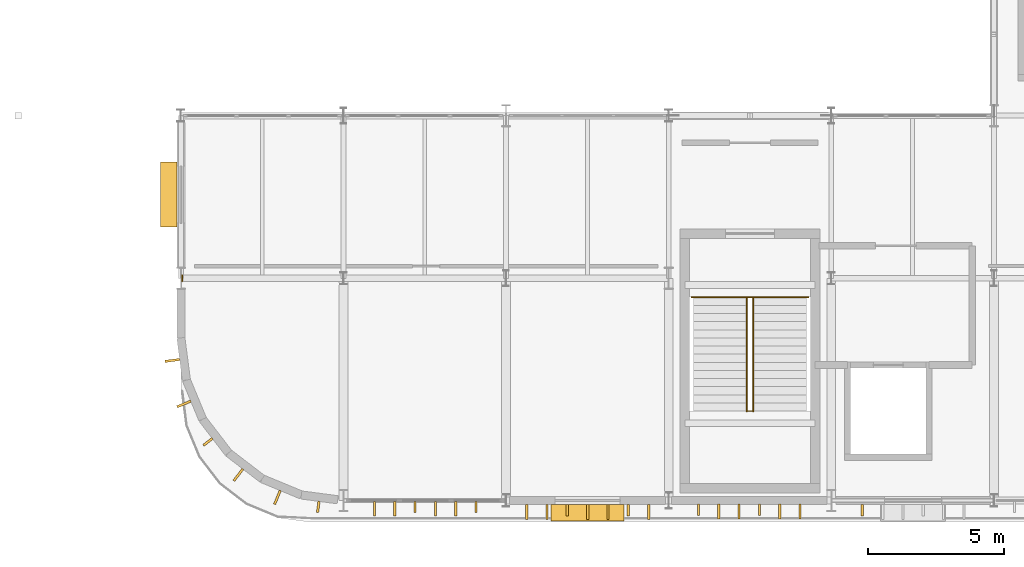
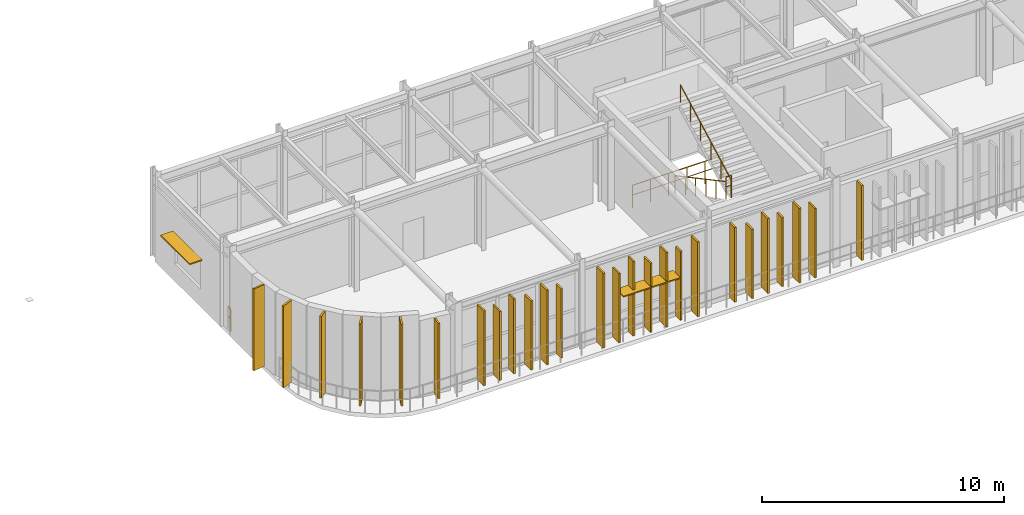
# One storey, part 74 of 84: 26 coverings, 5 railings, 2 shading devices.
"""IFC4 building model written with IfcOpenShell, lengths in metres."""

from ifc_helpers import new_model, si_unit, direction, frame, origin, origin_2d, place, context, subcontext, project, spatial, rectangle, circle, extrude, material, layer, layer_set, type_object, element, save


model = new_model("IFC4")

# Units and contexts
model_context = context("Model", 3, precision=1e-05, world=origin(), true_north=direction((0.0, 1.0)))
body_context = subcontext(model_context, "Body", "Model", "MODEL_VIEW")
ifc_project = project(units=[si_unit("LENGTHUNIT", "METRE"), si_unit("AREAUNIT", "SQUARE_METRE"), si_unit("VOLUMEUNIT", "CUBIC_METRE"), si_unit("PLANEANGLEUNIT", "RADIAN"), si_unit("MASSUNIT", "GRAM", prefix="KILO")], contexts=[model_context])

# Site, building, storey
site_placement = place(None, origin())
site = spatial("IfcSite", under=ifc_project, at=site_placement, CompositionType="ELEMENT")
building_placement = place(site_placement, origin())
building = spatial("IfcBuilding", under=site, at=building_placement, Name="Varnakota Square Police Headquarters", CompositionType="ELEMENT")
storey_placement = place(building_placement, frame((0.0, 0.0, 13.5)))
storey = spatial("IfcBuildingStorey", under=building, at=storey_placement, Name="L03", CompositionType="ELEMENT", Elevation=13.5)

# Coverings
ifc_material_1 = material(Name="White Anodised Aluminium Vertical Facade Blade 420", Category="aluminium")
ifc_layer_1 = layer(ifc_material_1, 0.0849609375, Name="White Anodised Aluminium Vertical Facade Blade 420")
ifc_layer_set_1 = layer_set([ifc_layer_1], Name="White Anodised Aluminium Vertical Facade Blade 420")
covering_type_1 = type_object("IfcCoveringType", Name="COV-FIN-420", PredefinedType="CLADDING", material=ifc_layer_set_1)
covering_1_placement = place(storey_placement, frame((116.642578125, 0.5625, 0.0400390625), z_axis=(0.0, 0.0, 1.0), x_axis=(1.0, 0.0, 0.0)))
element("IfcCovering", 1, at=covering_1_placement, inside=storey, type_object=covering_type_1, Name="Vertical aluminium facade fin FIN-0431", PredefinedType="CLADDING", context=body_context, shape_type="SweptSolid", body=[
    extrude(rectangle(XDim=0.0849609375, YDim=0.419921875, at=origin_2d()), origin(), (0.0, 0.0, 1.0), 3.760009765625),
])
covering_2_placement = place(storey_placement, frame((118.892578125, 0.5625, 0.0400390625), z_axis=(0.0, 0.0, 1.0), x_axis=(1.0, 0.0, 0.0)))
element("IfcCovering", 2, at=covering_2_placement, inside=storey, type_object=covering_type_1, Name="Vertical aluminium facade fin FIN-0434", PredefinedType="CLADDING", context=body_context, shape_type="SweptSolid", body=[
    extrude(rectangle(XDim=0.0849609375, YDim=0.419921875, at=origin_2d()), origin(), (0.0, 0.0, 1.0), 3.47998046875),
])
covering_3_placement = place(storey_placement, frame((122.260009765625, 0.445068359375, 0.0400390625), z_axis=(0.0, 0.0, 1.0), x_axis=(1.0, 0.0, 0.0)))
element("IfcCovering", 3, at=covering_3_placement, inside=storey, type_object=covering_type_1, Name="Vertical aluminium facade fin FIN-0437", PredefinedType="CLADDING", context=body_context, shape_type="SweptSolid", body=[
    extrude(rectangle(XDim=0.0849609375, YDim=0.419921875, at=origin_2d()), origin(), (0.0, 0.0, 1.0), 3.760009765625),
])
covering_4_placement = place(storey_placement, frame((124.510009765625, 0.445068359375, 0.0400390625), z_axis=(0.0, 0.0, 1.0), x_axis=(1.0, 0.0, 0.0)))
element("IfcCovering", 4, at=covering_4_placement, inside=storey, type_object=covering_type_1, Name="Vertical aluminium facade fin FIN-0440", PredefinedType="CLADDING", context=body_context, shape_type="SweptSolid", body=[
    extrude(rectangle(XDim=0.0849609375, YDim=0.419921875, at=origin_2d()), origin(), (0.0, 0.0, 1.0), 3.47998046875),
])
covering_5_placement = place(storey_placement, frame((127.097412109375, 0.455078125, 0.0400390625), z_axis=(0.0, 0.0, 1.0), x_axis=(1.0, 0.0, 0.0)))
element("IfcCovering", 5, at=covering_5_placement, inside=storey, type_object=covering_type_1, Name="Vertical aluminium facade fin FIN-0442", PredefinedType="CLADDING", context=body_context, shape_type="SweptSolid", body=[
    extrude(rectangle(XDim=0.0849609375, YDim=0.419921875, at=origin_2d()), origin(), (0.0, 0.0, 1.0), 3.760009765625),
])
covering_6_placement = place(storey_placement, frame((129.347412109375, 0.455078125, 0.0400390625), z_axis=(0.0, 0.0, 1.0), x_axis=(1.0, 0.0, 0.0)))
element("IfcCovering", 6, at=covering_6_placement, inside=storey, type_object=covering_type_1, Name="Vertical aluminium facade fin FIN-0445", PredefinedType="CLADDING", context=body_context, shape_type="SweptSolid", body=[
    extrude(rectangle(XDim=0.0849609375, YDim=0.419921875, at=origin_2d()), origin(), (0.0, 0.0, 1.0), 3.47998046875),
])
covering_7_placement = place(storey_placement, frame((133.142578125, 0.445068359375, 0.0400390625), z_axis=(0.0, 0.0, 1.0), x_axis=(1.0, 0.0, 0.0)))
element("IfcCovering", 7, at=covering_7_placement, inside=storey, type_object=covering_type_1, Name="Vertical aluminium facade fin FIN-0448", PredefinedType="CLADDING", context=body_context, shape_type="SweptSolid", body=[
    extrude(rectangle(XDim=0.0849609375, YDim=0.419921875, at=origin_2d()), origin(), (0.0, 0.0, 1.0), 3.760009765625),
])
covering_8_placement = place(storey_placement, frame((108.9990234375, 2.962646484375, 0.0400390625), z_axis=(0.0, 0.0, 1.0), x_axis=(0.608761429009, -0.793353340291, 0.0)))
element("IfcCovering", 8, at=covering_8_placement, inside=storey, type_object=covering_type_1, Name="Vertical aluminium facade fin FIN-0514", PredefinedType="CLADDING", context=body_context, shape_type="SweptSolid", body=[
    extrude(rectangle(XDim=0.0849609375, YDim=0.419921875, at=origin_2d()), origin(), (0.0, 0.0, 1.0), 4.114990234375),
])
covering_9_placement = place(storey_placement, frame((113.07080078125, 0.564208984375, 0.0400390625), z_axis=(0.0, 0.0, 1.0), x_axis=(0.991444861374, -0.13052619222, 0.0)))
element("IfcCovering", 9, at=covering_9_placement, inside=storey, type_object=covering_type_1, Name="Vertical aluminium facade fin FIN-0517", PredefinedType="CLADDING", context=body_context, shape_type="SweptSolid", body=[
    extrude(rectangle(XDim=0.0849609375, YDim=0.419921875, at=origin_2d()), origin(), (0.0, 0.0, 1.0), 3.7861328125),
])
ifc_material_2 = material(Name="White Anodised Aluminium Vertical Facade Blade 550", Category="aluminium")
ifc_layer_2 = layer(ifc_material_2, 0.0849609375, Name="White Anodised Aluminium Vertical Facade Blade 550")
ifc_layer_set_2 = layer_set([ifc_layer_2], Name="White Anodised Aluminium Vertical Facade Blade 550")
covering_type_2 = type_object("IfcCoveringType", Name="COV-FIN-550", PredefinedType="CLADDING", material=ifc_layer_set_2)
covering_10_placement = place(storey_placement, frame((115.142578125, 0.49755859375, 0.0400390625), z_axis=(0.0, 0.0, 1.0), x_axis=(1.0, 0.0, 0.0)))
element("IfcCovering", 10, at=covering_10_placement, inside=storey, type_object=covering_type_2, Name="Vertical aluminium facade fin FIN-0429", PredefinedType="CLADDING", context=body_context, shape_type="SweptSolid", body=[
    extrude(rectangle(XDim=0.0849609375, YDim=0.550048828125, at=origin_2d()), origin(), (0.0, 0.0, 1.0), 3.760009765625),
])
for number, where, z_axis, x_axis, name in (
    (11, (115.892578125, 0.49755859375, 0.0400390625), (0.0, 0.0, 1.0), (1.0, 0.0, 0.0), "Vertical aluminium facade fin FIN-0430"),
    (12, (117.392578125, 0.49755859375, 0.0400390625), (0.0, 0.0, 1.0), (1.0, 0.0, 0.0), "Vertical aluminium facade fin FIN-0432"),
):
    element("IfcCovering", number, at=place(storey_placement, frame(where, z_axis=z_axis, x_axis=x_axis)), inside=storey, type_object=covering_type_2, Name=name, PredefinedType="CLADDING", context=body_context, shape_type="SweptSolid", body=[
        extrude(rectangle(XDim=0.0849609375, YDim=0.550048828125, at=origin_2d()), origin(), (0.0, 0.0, 1.0), 3.47998046875),
    ])
for number, where, z_axis, x_axis, name in (
    (13, (118.142578125, 0.49755859375, 0.0400390625), (0.0, 0.0, 1.0), (1.0, 0.0, 0.0), "Vertical aluminium facade fin FIN-0433"),
    (14, (120.760009765625, 0.3798828125, 0.0400390625), (0.0, 0.0, 1.0), (1.0, 0.0, 0.0), "Vertical aluminium facade fin FIN-0435"),
):
    element("IfcCovering", number, at=place(storey_placement, frame(where, z_axis=z_axis, x_axis=x_axis)), inside=storey, type_object=covering_type_2, Name=name, PredefinedType="CLADDING", context=body_context, shape_type="SweptSolid", body=[
        extrude(rectangle(XDim=0.0849609375, YDim=0.550048828125, at=origin_2d()), origin(), (0.0, 0.0, 1.0), 3.760009765625),
    ])
for number, where, z_axis, x_axis, name in (
    (15, (121.510009765625, 0.3798828125, 0.0400390625), (0.0, 0.0, 1.0), (1.0, 0.0, 0.0), "Vertical aluminium facade fin FIN-0436"),
    (16, (123.010009765625, 0.3798828125, 0.0400390625), (0.0, 0.0, 1.0), (1.0, 0.0, 0.0), "Vertical aluminium facade fin FIN-0438"),
):
    element("IfcCovering", number, at=place(storey_placement, frame(where, z_axis=z_axis, x_axis=x_axis)), inside=storey, type_object=covering_type_2, Name=name, PredefinedType="CLADDING", context=body_context, shape_type="SweptSolid", body=[
        extrude(rectangle(XDim=0.0849609375, YDim=0.550048828125, at=origin_2d()), origin(), (0.0, 0.0, 1.0), 3.47998046875),
    ])
for number, where, z_axis, x_axis, name in (
    (17, (123.760009765625, 0.3798828125, 0.0400390625), (0.0, 0.0, 1.0), (1.0, 0.0, 0.0), "Vertical aluminium facade fin FIN-0439"),
    (18, (125.260009765625, 0.3798828125, 0.0400390625), (0.0, 0.0, 1.0), (1.0, 0.0, 0.0), "Vertical aluminium facade fin FIN-0441"),
):
    element("IfcCovering", number, at=place(storey_placement, frame(where, z_axis=z_axis, x_axis=x_axis)), inside=storey, type_object=covering_type_2, Name=name, PredefinedType="CLADDING", context=body_context, shape_type="SweptSolid", body=[
        extrude(rectangle(XDim=0.0849609375, YDim=0.550048828125, at=origin_2d()), origin(), (0.0, 0.0, 1.0), 3.760009765625),
    ])
covering_11_placement = place(storey_placement, frame((127.847412109375, 0.389892578125, 0.0400390625), z_axis=(0.0, 0.0, 1.0), x_axis=(1.0, 0.0, 0.0)))
element("IfcCovering", 19, at=covering_11_placement, inside=storey, type_object=covering_type_2, Name="Vertical aluminium facade fin FIN-0443", PredefinedType="CLADDING", context=body_context, shape_type="SweptSolid", body=[
    extrude(rectangle(XDim=0.0849609375, YDim=0.550048828125, at=origin_2d()), origin(), (0.0, 0.0, 1.0), 3.47998046875),
])
for number, where, z_axis, x_axis, name in (
    (20, (128.597412109375, 0.389892578125, 0.0400390625), (0.0, 0.0, 1.0), (1.0, 0.0, 0.0), "Vertical aluminium facade fin FIN-0444"),
    (21, (130.097412109375, 0.389892578125, 0.0400390625), (0.0, 0.0, 1.0), (1.0, 0.0, 0.0), "Vertical aluminium facade fin FIN-0446"),
):
    element("IfcCovering", number, at=place(storey_placement, frame(where, z_axis=z_axis, x_axis=x_axis)), inside=storey, type_object=covering_type_2, Name=name, PredefinedType="CLADDING", context=body_context, shape_type="SweptSolid", body=[
        extrude(rectangle(XDim=0.0849609375, YDim=0.550048828125, at=origin_2d()), origin(), (0.0, 0.0, 1.0), 3.760009765625),
    ])
covering_12_placement = place(storey_placement, frame((130.847412109375, 0.389892578125, 0.0400390625), z_axis=(0.0, 0.0, 1.0), x_axis=(1.0, 0.0, 0.0)))
element("IfcCovering", 22, at=covering_12_placement, inside=storey, type_object=covering_type_2, Name="Vertical aluminium facade fin FIN-0447", PredefinedType="CLADDING", context=body_context, shape_type="SweptSolid", body=[
    extrude(rectangle(XDim=0.0849609375, YDim=0.550048828125, at=origin_2d()), origin(), (0.0, 0.0, 1.0), 3.47998046875),
])
for number, where, z_axis, x_axis, name in (
    (23, (107.685791015625, 5.96875, 0.0400390625), (0.0, 0.0, 1.0), (0.13052619222, -0.991444861374, 0.0), "Vertical aluminium facade fin FIN-0512"),
    (24, (108.1162109375, 4.36279296875, 0.0400390625), (0.0, 0.0, 1.0), (0.382683432365, -0.923879532511, 0.0), "Vertical aluminium facade fin FIN-0513"),
    (25, (110.123046875, 1.747314453125, 0.0400390625), (0.0, 0.0, 1.0), (0.793353340291, -0.608761429009, 0.0), "Vertical aluminium facade fin FIN-0515"),
    (26, (111.562744140625, 0.916015625, 0.0400390625), (0.0, 0.0, 1.0), (0.923879532511, -0.382683432365, 0.0), "Vertical aluminium facade fin FIN-0516"),
):
    element("IfcCovering", number, at=place(storey_placement, frame(where, z_axis=z_axis, x_axis=x_axis)), inside=storey, type_object=covering_type_2, Name=name, PredefinedType="CLADDING", context=body_context, shape_type="SweptSolid", body=[
        extrude(rectangle(XDim=0.0849609375, YDim=0.550048828125, at=origin_2d()), origin(), (0.0, 0.0, 1.0), 4.114990234375),
    ])

# Railings
ifc_material_3 = material(Name="Galvanised Powder-Coated Steel Guardrail", Category="steel")
railing_type_1 = type_object("IfcRailingType", Name="RL-BAL-1150", PredefinedType="BALUSTRADE", material=ifc_material_3)
railing_1_placement = place(storey_placement, frame((108.050048828125, 8.88134765625, 0.0)))
element("IfcRailing", 27, at=railing_1_placement, inside=storey, type_object=railing_type_1, Name="Perimeter edge safety guard GD-AUTO-L03-070", PredefinedType="BALUSTRADE", context=body_context, shape_type="SweptSolid", body=[
    extrude(circle(Radius=0.02392578125, at=origin_2d()), frame((0.0, 0.0, 1.1259765625), z_axis=(0.0, 1.0, 0.0), x_axis=(-1.0, 0.0, 0.0)), (0.0, 0.0, 1.0), 0.2373046875),
    extrude(circle(Radius=0.01806640625, at=origin_2d()), frame((0.0, 0.0, 0.63232421875), z_axis=(0.0, 1.0, 0.0), x_axis=(-1.0, 0.0, 0.0)), (0.0, 0.0, 1.0), 0.2373046875),
    extrude(circle(Radius=0.02099609375, at=origin_2d()), origin(), (0.0, 0.0, 1.0), 1.101806640625),
    extrude(circle(Radius=0.02099609375, at=origin_2d()), frame((0.0, 0.2373046875, 0.0)), (0.0, 0.0, 1.0), 1.101806640625),
])
ifc_material_4 = material(Name="Brushed Stainless Steel Tubular Handrail", Category="steel")
railing_type_2 = type_object("IfcRailingType", Name="RL-HND-920", PredefinedType="HANDRAIL", material=ifc_material_4)
railing_2_placement = place(storey_placement, frame((128.8798828125, 8.300048828125, 0.0)))
element("IfcRailing", 28, at=railing_2_placement, inside=storey, type_object=railing_type_2, Name="Stair flight handrail HR-L03-007", PredefinedType="HANDRAIL", context=body_context, shape_type="SweptSolid", body=[
    extrude(circle(Radius=0.02392578125, at=origin_2d()), frame((0.0, 0.0, 0.89599609375), z_axis=(0.0, -0.881511956786, 0.472161699043), x_axis=(1.0, 0.0, 0.0)), (0.0, 0.0, 1.0), 4.765380859375),
    extrude(circle(Radius=0.02099609375, at=origin_2d()), origin(), (0.0, 0.0, 1.0), 0.871826171875),
    extrude(circle(Radius=0.02099609375, at=origin_2d()), frame((0.0, -0.840087890625, 0.449951171875)), (0.0, 0.0, 1.0), 0.871826171875),
    extrude(circle(Radius=0.02099609375, at=origin_2d()), frame((0.0, -1.68017578125, 0.89990234375)), (0.0, 0.0, 1.0), 0.871826171875),
    extrude(circle(Radius=0.02099609375, at=origin_2d()), frame((0.0, -2.5205078125, 1.35009765625)), (0.0, 0.0, 1.0), 0.871826171875),
    extrude(circle(Radius=0.02099609375, at=origin_2d()), frame((0.0, -3.360595703125, 1.800048828125)), (0.0, 0.0, 1.0), 0.871826171875),
    extrude(circle(Radius=0.02099609375, at=origin_2d()), frame((0.0, -4.20068359375, 2.25)), (0.0, 0.0, 1.0), 0.871826171875),
])
railing_3_placement = place(storey_placement, frame((129.1201171875, 4.099365234375, 2.25)))
element("IfcRailing", 29, at=railing_3_placement, inside=storey, type_object=railing_type_2, Name="Stair flight handrail HR-L03-008", PredefinedType="HANDRAIL", context=body_context, shape_type="SweptSolid", body=[
    extrude(circle(Radius=0.02392578125, at=origin_2d()), frame((0.0, 0.0, 0.89599609375), z_axis=(0.0, 0.881511956786, 0.472161699043), x_axis=(-1.0, 0.0, 0.0)), (0.0, 0.0, 1.0), 4.765380859375),
    extrude(circle(Radius=0.02099609375, at=origin_2d()), origin(), (0.0, 0.0, 1.0), 0.871826171875),
    extrude(circle(Radius=0.02099609375, at=origin_2d()), frame((0.0, 0.840087890625, 0.449951171875)), (0.0, 0.0, 1.0), 0.871826171875),
    extrude(circle(Radius=0.02099609375, at=origin_2d()), frame((0.0, 1.68017578125, 0.89990234375)), (0.0, 0.0, 1.0), 0.871826171875),
    extrude(circle(Radius=0.02099609375, at=origin_2d()), frame((0.0, 2.5205078125, 1.35009765625)), (0.0, 0.0, 1.0), 0.871826171875),
    extrude(circle(Radius=0.02099609375, at=origin_2d()), frame((0.0, 3.360595703125, 1.800048828125)), (0.0, 0.0, 1.0), 0.871826171875),
    extrude(circle(Radius=0.02099609375, at=origin_2d()), frame((0.0, 4.20068359375, 2.25)), (0.0, 0.0, 1.0), 0.871826171875),
])
ifc_material_5 = material(Name="Laminated Glass and Stainless Steel Balustrade", Category="steel")
railing_type_3 = type_object("IfcRailingType", Name="RL-INT-1150", PredefinedType="BALUSTRADE", material=ifc_material_5)
railing_4_placement = place(storey_placement, frame((126.840087890625, 8.300048828125, 0.0)))
element("IfcRailing", 30, at=railing_4_placement, inside=storey, type_object=railing_type_3, Name="Stair well safety guard C1 L03", PredefinedType="BALUSTRADE", context=body_context, shape_type="SweptSolid", body=[
    extrude(circle(Radius=0.02392578125, at=origin_2d()), frame((0.0, 0.0, 1.1259765625), z_axis=(1.0, 0.0, 0.0), x_axis=(0.0, 1.0, 0.0)), (0.0, 0.0, 1.0), 4.31982421875),
    extrude(circle(Radius=0.01806640625, at=origin_2d()), frame((0.0, 0.0, 0.63232421875), z_axis=(1.0, 0.0, 0.0), x_axis=(0.0, 1.0, 0.0)), (0.0, 0.0, 1.0), 4.31982421875),
    extrude(circle(Radius=0.02099609375, at=origin_2d()), origin(), (0.0, 0.0, 1.0), 1.101806640625),
    extrude(circle(Radius=0.02099609375, at=origin_2d()), frame((0.864013671875, 0.0, 0.0)), (0.0, 0.0, 1.0), 1.101806640625),
    extrude(circle(Radius=0.02099609375, at=origin_2d()), frame((1.72802734375, 0.0, 0.0)), (0.0, 0.0, 1.0), 1.101806640625),
    extrude(circle(Radius=0.02099609375, at=origin_2d()), frame((2.591796875, 0.0, 0.0)), (0.0, 0.0, 1.0), 1.101806640625),
    extrude(circle(Radius=0.02099609375, at=origin_2d()), frame((3.455810546875, 0.0, 0.0)), (0.0, 0.0, 1.0), 1.101806640625),
    extrude(circle(Radius=0.02099609375, at=origin_2d()), frame((4.31982421875, 0.0, 0.0)), (0.0, 0.0, 1.0), 1.101806640625),
])
railing_5_placement = place(storey_placement, frame((128.869873046875, 4.099365234375, 2.25)))
element("IfcRailing", 31, at=railing_5_placement, inside=storey, type_object=railing_type_3, Name="Half-landing well guard C1 L03", PredefinedType="BALUSTRADE", context=body_context, shape_type="SweptSolid", body=[
    extrude(circle(Radius=0.02392578125, at=origin_2d()), frame((0.0, 0.0, 1.1259765625), z_axis=(1.0, 0.0, 0.0), x_axis=(0.0, 1.0, 0.0)), (0.0, 0.0, 1.0), 0.26025390625),
    extrude(circle(Radius=0.01806640625, at=origin_2d()), frame((0.0, 0.0, 0.63232421875), z_axis=(1.0, 0.0, 0.0), x_axis=(0.0, 1.0, 0.0)), (0.0, 0.0, 1.0), 0.26025390625),
    extrude(circle(Radius=0.02099609375, at=origin_2d()), origin(), (0.0, 0.0, 1.0), 1.101806640625),
    extrude(circle(Radius=0.02099609375, at=origin_2d()), frame((0.26025390625, 0.0, 0.0)), (0.0, 0.0, 1.0), 1.101806640625),
])

# Shading devices
ifc_material_6 = material(Name="Anodised Aluminium Horizontal Brise-Soleil", Category="aluminium")
ifc_layer_3 = layer(ifc_material_6, 0.06005859375, Name="Anodised Aluminium Horizontal Brise-Soleil")
ifc_layer_set_3 = layer_set([ifc_layer_3], Name="Anodised Aluminium Horizontal Brise-Soleil")
shading_device_type = type_object("IfcShadingDeviceType", Name="SHD-JAL-600", PredefinedType="JALOUSIE", material=ifc_layer_set_3)
shading_device_1_placement = place(storey_placement, frame((123.010009765625, 0.35205078125, 2.300048828125), z_axis=(0.0, 0.0, 1.0), x_axis=(1.0, 0.0, 0.0)))
element("IfcShadingDevice", 32, at=shading_device_1_placement, inside=storey, type_object=shading_device_type, Name="Horizontal sunshade SHD-023", PredefinedType="JALOUSIE", context=body_context, shape_type="SweptSolid", body=[
    extrude(rectangle(XDim=2.699951171875, YDim=0.60009765625, at=origin_2d()), origin(), (0.0, 0.0, 1.0), 0.06005859375),
])
shading_device_2_placement = place(storey_placement, frame((107.552001953125, 12.08740234375, 2.39990234375), z_axis=(0.0, 0.0, 1.0), x_axis=(0.0, 1.0, 0.0)))
element("IfcShadingDevice", 33, at=shading_device_2_placement, inside=storey, type_object=shading_device_type, Name="Horizontal sunshade SHD-026", PredefinedType="JALOUSIE", context=body_context, shape_type="SweptSolid", body=[
    extrude(rectangle(XDim=2.39990234375, YDim=0.60009765625, at=origin_2d()), origin(), (0.0, 0.0, 1.0), 0.06005859375),
])

save(model, "model.ifc")
